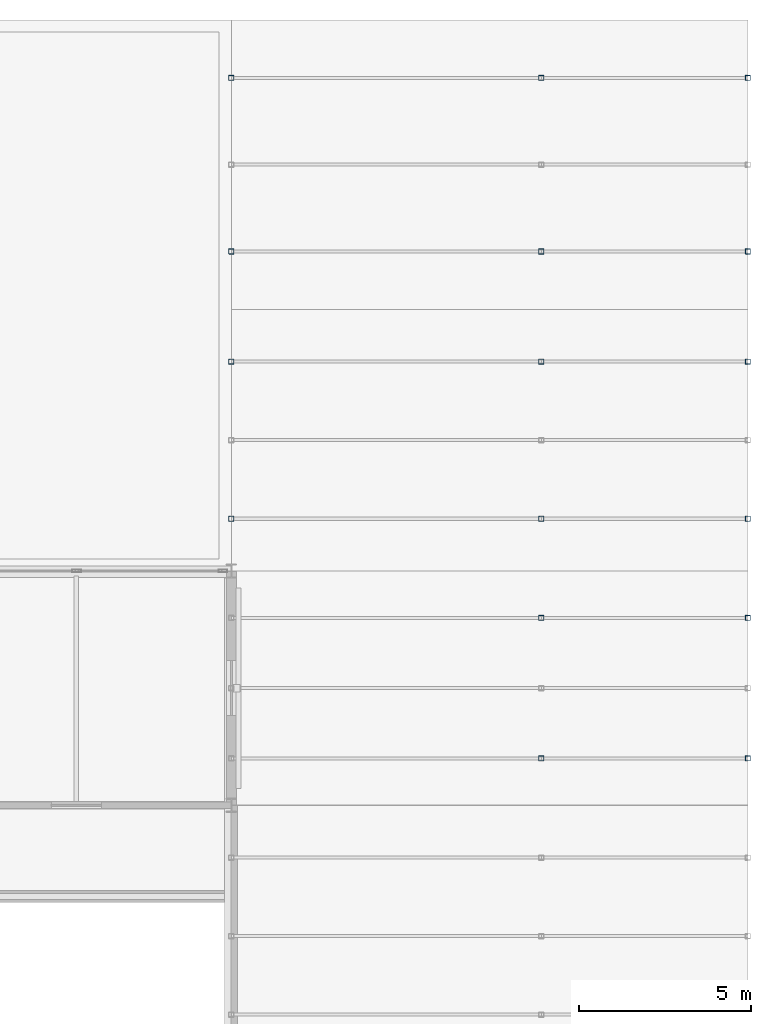
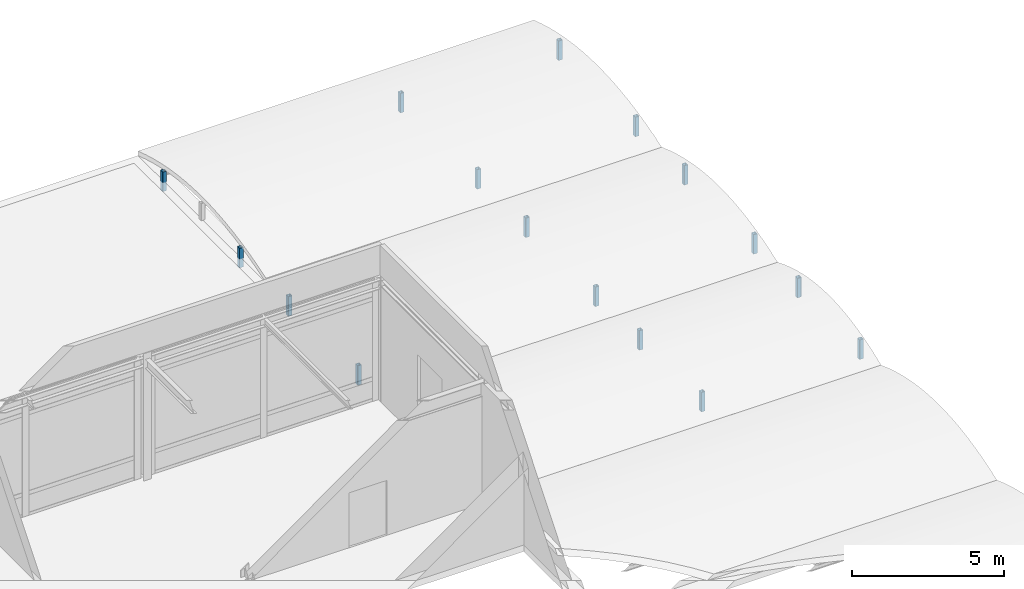
# One storey, part 87 of 113: 16 members.
"""IFC4 building model written with IfcOpenShell, lengths in metres."""

from ifc_helpers import new_model, si_unit, direction, frame, origin, origin_2d, place, context, subcontext, project, spatial, hollow_rectangle, extrude, material, material_profile, profile_set, type_object, element, save


model = new_model("IFC4")

# Units and contexts
model_context = context("Model", 3, precision=1e-05, world=origin(), true_north=direction((0.0, 1.0)))
body_context = subcontext(model_context, "Body", "Model", "MODEL_VIEW")
ifc_project = project(units=[si_unit("LENGTHUNIT", "METRE"), si_unit("AREAUNIT", "SQUARE_METRE"), si_unit("VOLUMEUNIT", "CUBIC_METRE"), si_unit("PLANEANGLEUNIT", "RADIAN"), si_unit("MASSUNIT", "GRAM", prefix="KILO")], contexts=[model_context])

# Site, building, storey
site_placement = place(None, origin())
site = spatial("IfcSite", under=ifc_project, at=site_placement, CompositionType="ELEMENT")
building_placement = place(site_placement, origin())
building = spatial("IfcBuilding", under=site, at=building_placement, Name="Shalkamar Park Central Library", CompositionType="ELEMENT")
storey_placement = place(building_placement, frame((0.0, 0.0, 5.39990234375)))
storey = spatial("IfcBuildingStorey", under=building, at=storey_placement, Name="L02", CompositionType="ELEMENT", Elevation=5.39990234375)

# Members
ifc_material = material(Name="Steel S355", Category="steel")
ifc_material_profile = material_profile(ifc_material, hollow_rectangle(XDim=0.14990234375, YDim=0.14990234375, WallThickness=0.008056640625, InnerFilletRadius=0.008056640625, OuterFilletRadius=0.011962890625, at=origin_2d()), Name="SHS 150x150x8")
ifc_profile_set = profile_set([ifc_material_profile], Name="Steel S355")
member_type = type_object("IfcMemberType", Name="Diagonal Brace SHS150", PredefinedType="BRACE", material=ifc_profile_set)
for number, where, z_axis, x_axis, name in (
    (1, (282.0, 332.56005859375, -0.35986328125), (0.0, 0.0, 1.0), (1.0, 0.0, 0.0), "Vault Arch Post BV-L01-E10-21.1"),
    (2, (282.0, 336.639892578125, -0.35986328125), (0.0, 0.0, 1.0), (1.0, 0.0, 0.0), "Vault Arch Post BV-L01-E10-21.3"),
    (3, (288.0, 332.56005859375, -0.35986328125), (0.0, 0.0, 1.0), (1.0, 0.0, 0.0), "Vault Arch Post BV-L01-E10-22.1"),
    (4, (288.0, 336.639892578125, -0.35986328125), (0.0, 0.0, 1.0), (1.0, 0.0, 0.0), "Vault Arch Post BV-L01-E10-22.3"),
    (5, (273.0, 339.52001953125, -0.35986328125), (0.0, 0.0, 1.0), (1.0, 0.0, 0.0), "Vault Arch Post BV-L01-E11-20.1"),
    (6, (273.0, 344.080078125, -0.35986328125), (0.0, 0.0, 1.0), (1.0, 0.0, 0.0), "Vault Arch Post BV-L01-E11-20.3"),
    (7, (282.0, 339.52001953125, -0.35986328125), (0.0, 0.0, 1.0), (1.0, 0.0, 0.0), "Vault Arch Post BV-L01-E11-21.1"),
    (8, (282.0, 344.080078125, -0.35986328125), (0.0, 0.0, 1.0), (1.0, 0.0, 0.0), "Vault Arch Post BV-L01-E11-21.3"),
    (9, (288.0, 339.52001953125, -0.35986328125), (0.0, 0.0, 1.0), (1.0, 0.0, 0.0), "Vault Arch Post BV-L01-E11-22.1"),
    (10, (288.0, 344.080078125, -0.35986328125), (0.0, 0.0, 1.0), (1.0, 0.0, 0.0), "Vault Arch Post BV-L01-E11-22.3"),
    (11, (273.0, 347.280029296875, -0.35986328125), (0.0, 0.0, 1.0), (1.0, 0.0, 0.0), "Vault Arch Post BV-L01-E12-20.1"),
    (12, (273.0, 352.320068359375, -0.35986328125), (0.0, 0.0, 1.0), (1.0, 0.0, 0.0), "Vault Arch Post BV-L01-E12-20.3"),
    (13, (282.0, 347.280029296875, -0.35986328125), (0.0, 0.0, 1.0), (1.0, 0.0, 0.0), "Vault Arch Post BV-L01-E12-21.1"),
    (14, (282.0, 352.320068359375, -0.35986328125), (0.0, 0.0, 1.0), (1.0, 0.0, 0.0), "Vault Arch Post BV-L01-E12-21.3"),
    (15, (288.0, 347.280029296875, -0.35986328125), (0.0, 0.0, 1.0), (1.0, 0.0, 0.0), "Vault Arch Post BV-L01-E12-22.1"),
    (16, (288.0, 352.320068359375, -0.35986328125), (0.0, 0.0, 1.0), (1.0, 0.0, 0.0), "Vault Arch Post BV-L01-E12-22.3"),
):
    element("IfcMember", number, at=place(storey_placement, frame(where, z_axis=z_axis, x_axis=x_axis)), inside=storey, type_object=member_type, Name=name, PredefinedType="BRACE", context=body_context, shape_type="SweptSolid", body=[
        extrude(hollow_rectangle(XDim=0.14990234375, YDim=0.14990234375, WallThickness=0.008056640625, InnerFilletRadius=0.008056640625, OuterFilletRadius=0.011962890625, at=origin_2d()), origin(), (0.0, 0.0, 1.0), 0.78076171875),
    ])

save(model, "model.ifc")
